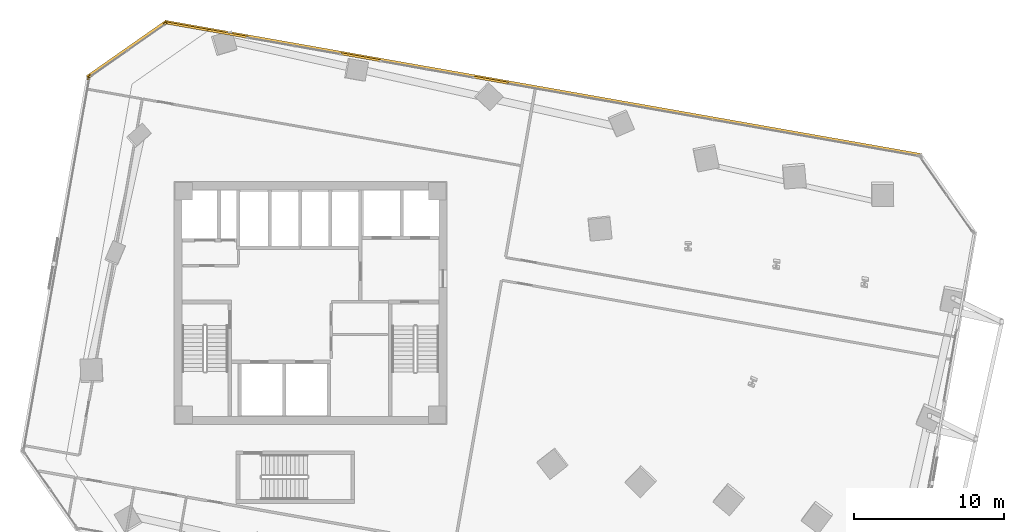
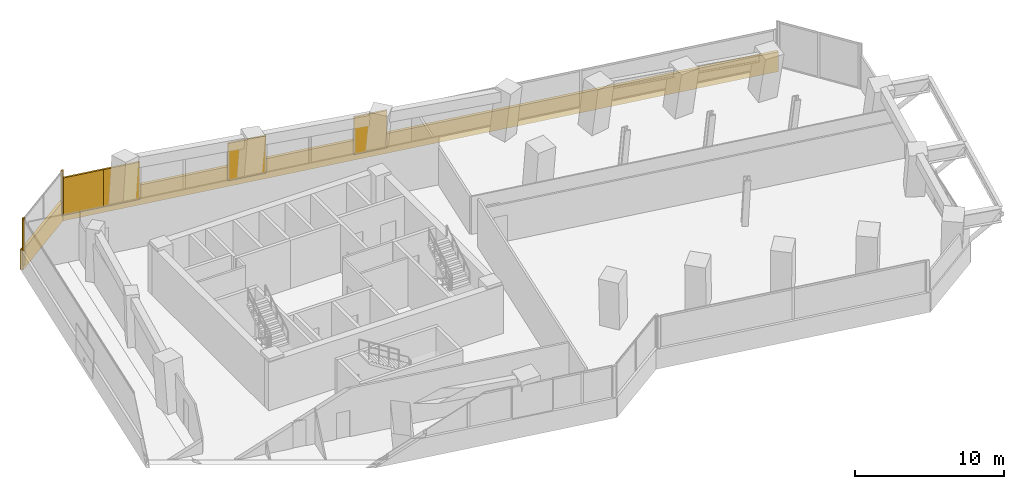
# One storey, part 24 of 24: 9 coverings.
"""IFC4 building model written with IfcOpenShell, lengths in metres."""

from ifc_helpers import new_model, si_unit, direction, frame, origin, origin_2d, place, context, subcontext, project, spatial, rectangle, extrude, source, transform, mapped, material, layer, layer_set, type_object, element, save


model = new_model("IFC4")

# Units and contexts
model_context = context("Model", 3, precision=1e-05, world=origin(), true_north=direction((0.0, 1.0)))
body_context = subcontext(model_context, "Body", "Model", "MODEL_VIEW")
ifc_project = project(units=[si_unit("LENGTHUNIT", "METRE"), si_unit("AREAUNIT", "SQUARE_METRE"), si_unit("VOLUMEUNIT", "CUBIC_METRE"), si_unit("PLANEANGLEUNIT", "RADIAN"), si_unit("MASSUNIT", "GRAM", prefix="KILO")], contexts=[model_context])

# Site, building, storey
site_placement = place(None, origin())
site = spatial("IfcSite", under=ifc_project, at=site_placement, CompositionType="ELEMENT")
building_placement = place(site_placement, origin())
building = spatial("IfcBuilding", under=site, at=building_placement, Name="Torre Montelarca", CompositionType="ELEMENT")
storey_placement = place(building_placement, frame((0.0, 0.0, 83.199951171875)))
storey = spatial("IfcBuildingStorey", under=building, at=storey_placement, Name="L18", CompositionType="ELEMENT", Elevation=83.199951171875)

# Coverings
ifc_material = material(Name="Bush-hammered warm white precast concrete C45/55", Category="concrete")
ifc_layer = layer(ifc_material, 0.139892578125, Name="Bush-hammered warm white precast concrete C45/55", Category="concrete")
ifc_layer_set = layer_set([ifc_layer], Name="Bush-hammered warm white precast concrete C45/55")
covering_type = type_object("IfcCoveringType", Name="COV-TRAY-CLAD", PredefinedType="CLADDING", material=ifc_layer_set)
shared_shape_1 = source(origin(), body_context, "Body", "SweptSolid", [
    extrude(rectangle(XDim=6.48388671875, YDim=0.219970703125, at=origin_2d()), origin(), (0.0, 0.0, 1.0), 1.6201171875),
])
covering_1_placement = place(storey_placement, frame((5.77001953125, 48.917236328125, -0.449951171875), z_axis=(0.0, 0.0, 1.0), x_axis=(-0.819151043208, -0.57357786604, 0.0)))
element("IfcCovering", 1, at=covering_1_placement, inside=storey, type_object=covering_type, Name="L18 Architectural White Spandrel Tray Band TRYBOT-09", PredefinedType="CLADDING", context=body_context, shape_type="MappedRepresentation", body=[
    mapped(shared_shape_1, transform((0.0, 0.0, 0.0), scale=1.0)),
])
shared_shape_2 = source(origin(), body_context, "Body", "SweptSolid", [
    extrude(rectangle(XDim=51.219970703125, YDim=0.219970703125, at=origin_2d()), origin(), (0.0, 0.0, 1.0), 1.6201171875),
])
covering_2_placement = place(storey_placement, frame((33.515869140625, 46.30078125, -0.449951171875), z_axis=(0.0, 0.0, 1.0), x_axis=(-0.984807753012, 0.173648177667, 0.0)))
element("IfcCovering", 2, at=covering_2_placement, inside=storey, type_object=covering_type, Name="L18 Architectural White Spandrel Tray Band TRYBOT-08", PredefinedType="CLADDING", context=body_context, shape_type="MappedRepresentation", body=[
    mapped(shared_shape_2, transform((0.0, 0.0, 0.0), scale=1.0)),
])
shared_shape_3 = source(origin(), body_context, "Body", "SweptSolid", [
    extrude(rectangle(XDim=0.199951171875, YDim=0.139892578125, at=origin_2d()), origin(), (0.0, 0.0, 1.0), 3.719970703125),
])
for number, where, z_axis, x_axis, name in (
    (3, (8.31591796875, 50.626708984375, 0.0), (0.0, 0.0, 1.0), (-0.819159051786, -0.573566428478, 0.0), "L18 Architectural Column Pier Cladding E09-1"),
    (4, (3.292724609375, 47.109619140625, 0.0), (0.0, 0.0, 1.0), (-0.819159051786, -0.573566428478, 0.0), "L18 Architectural Column Pier Cladding E09-2"),
    (5, (3.214599609375, 46.987060546875, 0.0), (0.0, 0.0, 1.0), (-0.173648177667, -0.984807753012, 0.0), "L18 Architectural Column Pier Cladding E10-1"),
):
    element("IfcCovering", number, at=place(storey_placement, frame(where, z_axis=z_axis, x_axis=x_axis)), inside=storey, type_object=covering_type, Name=name, PredefinedType="CLADDING", context=body_context, shape_type="MappedRepresentation", body=[
        mapped(shared_shape_3, transform((0.0, 0.0, 0.0), scale=1.0)),
    ])
shared_shape_4 = source(origin(), body_context, "Body", "SweptSolid", [
    extrude(rectangle(XDim=2.360107421875, YDim=0.139892578125, at=origin_2d()), origin(), (0.0, 0.0, 1.0), 3.074951171875),
])
covering_3_placement = place(storey_placement, frame((30.0380859375, 46.85302734375, 0.0), z_axis=(0.0, 0.0, 1.0), x_axis=(-0.984808056084, 0.173646458853, 0.0)))
element("IfcCovering", 6, at=covering_3_placement, inside=storey, type_object=covering_type, Name="L18 Architectural Column Pier Cladding E08-2", PredefinedType="CLADDING", context=body_context, shape_type="MappedRepresentation", body=[
    mapped(shared_shape_4, transform((0.0, 0.0, 0.0), scale=1.0)),
])
shared_shape_5 = source(origin(), body_context, "Body", "SweptSolid", [
    extrude(rectangle(XDim=2.69287109375, YDim=0.139892578125, at=origin_2d()), origin(), (0.0, 0.0, 1.0), 3.074951171875),
])
covering_4_placement = place(storey_placement, frame((21.3408203125, 48.38671875, 0.0), z_axis=(0.0, 0.0, 1.0), x_axis=(-0.984808056084, 0.173646458853, 0.0)))
element("IfcCovering", 7, at=covering_4_placement, inside=storey, type_object=covering_type, Name="L18 Architectural Column Pier Cladding E08-3", PredefinedType="CLADDING", context=body_context, shape_type="MappedRepresentation", body=[
    mapped(shared_shape_5, transform((0.0, 0.0, 0.0), scale=1.0)),
])
shared_shape_6 = source(origin(), body_context, "Body", "SweptSolid", [
    extrude(rectangle(XDim=2.69921875, YDim=0.139892578125, at=origin_2d()), origin(), (0.0, 0.0, 1.0), 3.074951171875),
])
covering_5_placement = place(storey_placement, frame((12.48291015625, 49.948486328125, 0.0), z_axis=(0.0, 0.0, 1.0), x_axis=(-0.984808056084, 0.173646458853, 0.0)))
element("IfcCovering", 8, at=covering_5_placement, inside=storey, type_object=covering_type, Name="L18 Architectural Column Pier Cladding E08-4", PredefinedType="CLADDING", context=body_context, shape_type="MappedRepresentation", body=[
    mapped(shared_shape_6, transform((0.0, 0.0, 0.0), scale=1.0)),
])
shared_shape_7 = source(origin(), body_context, "Body", "SweptSolid", [
    extrude(rectangle(XDim=2.9375, YDim=0.139892578125, at=origin_2d()), origin(), (0.0, 0.0, 1.0), 3.074951171875),
])
covering_6_placement = place(storey_placement, frame((9.8056640625, 50.42041015625, 0.0), z_axis=(0.0, 0.0, 1.0), x_axis=(-0.984808056084, 0.173646458853, 0.0)))
element("IfcCovering", 9, at=covering_6_placement, inside=storey, type_object=covering_type, Name="L18 Architectural Column Pier Cladding E08-5", PredefinedType="CLADDING", context=body_context, shape_type="MappedRepresentation", body=[
    mapped(shared_shape_7, transform((0.0, 0.0, 0.0), scale=1.0)),
])

save(model, "model.ifc")
